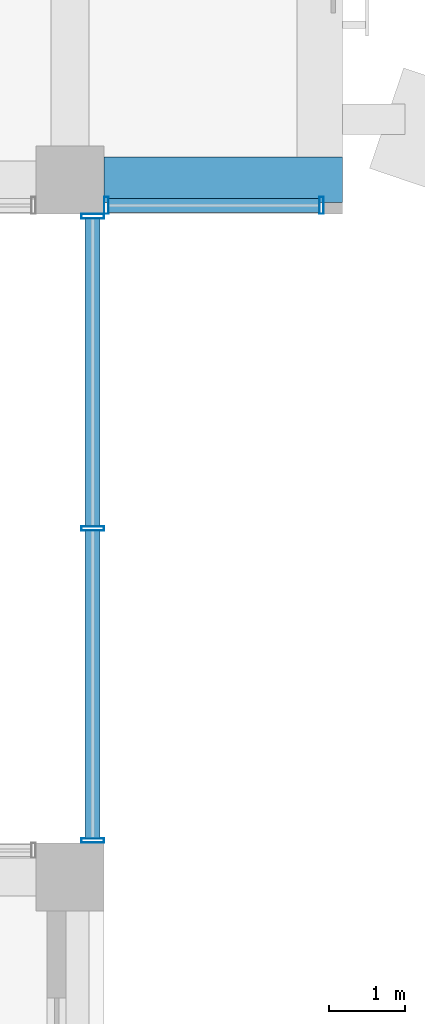
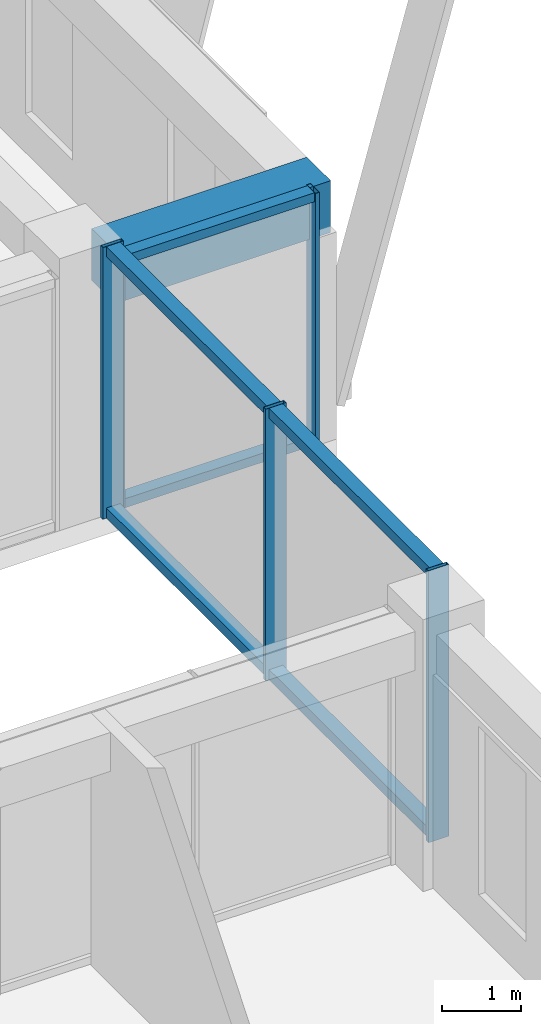
# One storey, part 19 of 38: 11 members, 1 beam, 2 elements without a shape of their own.
"""IFC4 building model written with IfcOpenShell, lengths in metres."""

from ifc_helpers import new_model, si_unit, direction, frame, origin, origin_2d, place, context, subcontext, project, spatial, rectangle, hollow_rectangle, extrude, material, layer, layer_set, material_profile, profile_set, type_object, element, aggregate, save


model = new_model("IFC4")

# Units and contexts
model_context = context("Model", 3, precision=1e-05, world=origin(), true_north=direction((0.0, 1.0)))
body_context = subcontext(model_context, "Body", "Model", "MODEL_VIEW")
ifc_project = project(units=[si_unit("LENGTHUNIT", "METRE"), si_unit("AREAUNIT", "SQUARE_METRE"), si_unit("VOLUMEUNIT", "CUBIC_METRE"), si_unit("PLANEANGLEUNIT", "RADIAN"), si_unit("MASSUNIT", "GRAM", prefix="KILO")], contexts=[model_context])

# Site, building, storey
site_placement = place(None, origin())
site = spatial("IfcSite", under=ifc_project, at=site_placement, CompositionType="ELEMENT")
building_placement = place(site_placement, origin())
building = spatial("IfcBuilding", under=site, at=building_placement, Name="Nzadi Deep Aquarium and Research Tower", CompositionType="ELEMENT")
storey_placement = place(building_placement, frame((0.0, 0.0, 52.89990234375)))
storey = spatial("IfcBuildingStorey", under=building, at=storey_placement, Name="L10", CompositionType="ELEMENT", Elevation=52.89990234375)

# Curtain wall, members
ifc_material_1 = material(Name="Aluminium unitised frame deep", Category="aluminium")
ifc_layer_1 = layer(ifc_material_1, 0.22509765625)
ifc_layer_set_1 = layer_set([ifc_layer_1], Name="Aluminium unitised frame deep")
curtain_wall_type_1 = type_object("IfcCurtainWallType", Name="Curtain wall Unitised Deep 225", PredefinedType="NOTDEFINED", material=ifc_layer_set_1)
curtain_wall_1_placement = place(storey_placement, origin())
curtain_wall_1 = element("IfcCurtainWall", 1, at=curtain_wall_1_placement, inside=storey, type_object=curtain_wall_type_1, Name="Unitised curtain wall blade B south L10", PredefinedType="NOTDEFINED")
ifc_material_2 = material(Name="Aluminium unitised frame deep", Category="aluminium")
ifc_material_profile_1 = material_profile(ifc_material_2, hollow_rectangle(XDim=0.22509765625, YDim=0.06005859375, WallThickness=0.0048828125, at=origin_2d()))
ifc_profile_set_1 = profile_set([ifc_material_profile_1], Name="Aluminium unitised frame deep")
member_type_1 = type_object("IfcMemberType", Name="Mullion 60x225 Unitised Deep", PredefinedType="MULLION", material=ifc_profile_set_1)
member_1_placement = place(storey_placement, frame((48.47998046875, 27.262451171875, 0.0), z_axis=(0.0, 0.0, 1.0), x_axis=(0.0, 1.0, 0.0)))
member_1 = element("IfcMember", 2, at=member_1_placement, type_object=member_type_1, Name="CW133 mullion 1", PredefinedType="MULLION", context=body_context, shape_type="SweptSolid", body=[
    extrude(hollow_rectangle(XDim=0.22509765625, YDim=0.06005859375, WallThickness=0.0048828125, at=origin_2d()), origin(), (0.0, 0.0, 1.0), 3.900146484375),
])
member_2_placement = place(storey_placement, frame((51.320068359375, 27.262451171875, 0.0), z_axis=(0.0, 0.0, 1.0), x_axis=(0.0, 1.0, 0.0)))
member_2 = element("IfcMember", 3, at=member_2_placement, type_object=member_type_1, Name="CW133 mullion 2", PredefinedType="MULLION", context=body_context, shape_type="SweptSolid", body=[
    extrude(hollow_rectangle(XDim=0.22509765625, YDim=0.06005859375, WallThickness=0.0048828125, at=origin_2d()), origin(), (0.0, 0.0, 1.0), 3.900146484375),
])

ifc_material_3 = material(Name="Aluminium unitised frame wind post", Category="aluminium")
ifc_layer_2 = layer(ifc_material_3, 0.300048828125)
ifc_layer_set_2 = layer_set([ifc_layer_2], Name="Aluminium unitised frame wind post")
curtain_wall_type_2 = type_object("IfcCurtainWallType", Name="Curtain wall Slot End 300", PredefinedType="NOTDEFINED", material=ifc_layer_set_2)
curtain_wall_2_placement = place(storey_placement, origin())
curtain_wall_2 = element("IfcCurtainWall", 4, at=curtain_wall_2_placement, inside=storey, type_object=curtain_wall_type_2, Name="Glazed slot end east L10", PredefinedType="NOTDEFINED")
ifc_material_4 = material(Name="Aluminium unitised frame wind post", Category="aluminium")
ifc_material_profile_2 = material_profile(ifc_material_4, hollow_rectangle(XDim=0.300048828125, YDim=0.06005859375, WallThickness=0.0048828125, at=origin_2d()))
ifc_profile_set_2 = profile_set([ifc_material_profile_2], Name="Aluminium unitised frame wind post")
member_type_2 = type_object("IfcMemberType", Name="Mullion 60x300 Slot End", PredefinedType="MULLION", material=ifc_profile_set_2)
member_3_placement = place(storey_placement, frame((48.300048828125, 18.8798828125, 0.0), z_axis=(0.0, 0.0, 1.0), x_axis=(-1.0, 0.0, 0.0)))
member_3 = element("IfcMember", 5, at=member_3_placement, type_object=member_type_2, Name="CW212 mullion 1", PredefinedType="MULLION", context=body_context, shape_type="SweptSolid", body=[
    extrude(hollow_rectangle(XDim=0.300048828125, YDim=0.06005859375, WallThickness=0.0048828125, at=origin_2d()), origin(), (0.0, 0.0, 1.0), 4.2001953125),
])
member_4_placement = place(storey_placement, frame((48.300048828125, 23.0, 0.0), z_axis=(0.0, 0.0, 1.0), x_axis=(-1.0, 0.0, 0.0)))
member_4 = element("IfcMember", 6, at=member_4_placement, type_object=member_type_2, Name="CW212 mullion 2", PredefinedType="MULLION", context=body_context, shape_type="SweptSolid", body=[
    extrude(hollow_rectangle(XDim=0.300048828125, YDim=0.06005859375, WallThickness=0.0048828125, at=origin_2d()), origin(), (0.0, 0.0, 1.0), 4.2001953125),
])
member_5_placement = place(storey_placement, frame((48.300048828125, 27.1201171875, 0.0), z_axis=(0.0, 0.0, 1.0), x_axis=(-1.0, 0.0, 0.0)))
member_5 = element("IfcMember", 7, at=member_5_placement, type_object=member_type_2, Name="CW212 mullion 3", PredefinedType="MULLION", context=body_context, shape_type="SweptSolid", body=[
    extrude(hollow_rectangle(XDim=0.300048828125, YDim=0.06005859375, WallThickness=0.0048828125, at=origin_2d()), origin(), (0.0, 0.0, 1.0), 4.2001953125),
])

# Beam
ifc_material_5 = material(Name="Concrete C35/45", Category="concrete")
ifc_material_profile_3 = material_profile(ifc_material_5, rectangle(XDim=0.60009765625, YDim=0.800048828125, at=origin_2d()))
ifc_profile_set_3 = profile_set([ifc_material_profile_3], Name="Concrete C35/45")
beam_type = type_object("IfcBeamType", Name="RC 600x800", PredefinedType="BEAM", material=ifc_profile_set_3)
beam_placement = place(storey_placement, frame((48.449951171875, 27.60009765625, 3.5), z_axis=(1.0, 0.0, 0.0), x_axis=(0.0, 1.0, 0.0)))
element("IfcBeam", 8, at=beam_placement, inside=storey, type_object=beam_type, Name="B-Z1-L10-CANT4", PredefinedType="BEAM", context=body_context, shape_type="SweptSolid", body=[
    extrude(rectangle(XDim=0.60009765625, YDim=0.800048828125, at=origin_2d()), origin(), (0.0, 0.0, 1.0), 3.150146484375),
])

# Member
ifc_material_6 = material(Name="Aluminium unitised frame deep", Category="aluminium")
ifc_material_profile_4 = material_profile(ifc_material_6, hollow_rectangle(XDim=0.179931640625, YDim=0.139892578125, WallThickness=0.0048828125, at=origin_2d()))
ifc_profile_set_4 = profile_set([ifc_material_profile_4], Name="Aluminium unitised frame deep")
member_type_3 = type_object("IfcMemberType", Name="Transom 140x180 Unitised Deep", PredefinedType="MULLION", material=ifc_profile_set_4)
member_6_placement = place(storey_placement, frame((48.510009765625, 27.262451171875, 0.070068359375), z_axis=(1.0, 0.0, 0.0), x_axis=(0.0, 1.0, 0.0)))
member_6 = element("IfcMember", 9, at=member_6_placement, type_object=member_type_3, Name="CW133 transom 1.1", PredefinedType="MULLION", context=body_context, shape_type="SweptSolid", body=[
    extrude(hollow_rectangle(XDim=0.179931640625, YDim=0.139892578125, WallThickness=0.0048828125, at=origin_2d()), origin(), (0.0, 0.0, 1.0), 2.780029296875),
])

member_7_placement = place(storey_placement, frame((48.510009765625, 27.262451171875, 3.830078125), z_axis=(1.0, 0.0, 0.0), x_axis=(0.0, 1.0, 0.0)))
member_7 = element("IfcMember", 10, at=member_7_placement, type_object=member_type_3, Name="CW133 transom 1.2", PredefinedType="MULLION", context=body_context, shape_type="SweptSolid", body=[
    extrude(hollow_rectangle(XDim=0.179931640625, YDim=0.139892578125, WallThickness=0.0048828125, at=origin_2d()), origin(), (0.0, 0.0, 1.0), 2.780029296875),
])

aggregate(curtain_wall_1, [member_1, member_2, member_6, member_7])

ifc_material_7 = material(Name="Aluminium unitised frame wind post", Category="aluminium")
ifc_material_profile_5 = material_profile(ifc_material_7, hollow_rectangle(XDim=0.199951171875, YDim=0.159912109375, WallThickness=0.0048828125, at=origin_2d()))
ifc_profile_set_5 = profile_set([ifc_material_profile_5], Name="Aluminium unitised frame wind post")
member_type_4 = type_object("IfcMemberType", Name="Transom 160x200 Slot End", PredefinedType="MULLION", material=ifc_profile_set_5)
member_8_placement = place(storey_placement, frame((48.300048828125, 18.909912109375, 0.080078125), z_axis=(0.0, 1.0, 0.0), x_axis=(-1.0, 0.0, 0.0)))
member_8 = element("IfcMember", 11, at=member_8_placement, type_object=member_type_4, Name="CW212 transom 1.1", PredefinedType="MULLION", context=body_context, shape_type="SweptSolid", body=[
    extrude(hollow_rectangle(XDim=0.199951171875, YDim=0.159912109375, WallThickness=0.0048828125, at=origin_2d()), origin(), (0.0, 0.0, 1.0), 4.06005859375),
])

member_9_placement = place(storey_placement, frame((48.300048828125, 18.909912109375, 4.1201171875), z_axis=(0.0, 1.0, 0.0), x_axis=(-1.0, 0.0, 0.0)))
member_9 = element("IfcMember", 12, at=member_9_placement, type_object=member_type_4, Name="CW212 transom 1.2", PredefinedType="MULLION", context=body_context, shape_type="SweptSolid", body=[
    extrude(hollow_rectangle(XDim=0.199951171875, YDim=0.159912109375, WallThickness=0.0048828125, at=origin_2d()), origin(), (0.0, 0.0, 1.0), 4.06005859375),
])

member_10_placement = place(storey_placement, frame((48.300048828125, 23.030029296875, 0.080078125), z_axis=(0.0, 1.0, 0.0), x_axis=(-1.0, 0.0, 0.0)))
member_10 = element("IfcMember", 13, at=member_10_placement, type_object=member_type_4, Name="CW212 transom 2.1", PredefinedType="MULLION", context=body_context, shape_type="SweptSolid", body=[
    extrude(hollow_rectangle(XDim=0.199951171875, YDim=0.159912109375, WallThickness=0.0048828125, at=origin_2d()), origin(), (0.0, 0.0, 1.0), 4.06005859375),
])

member_11_placement = place(storey_placement, frame((48.300048828125, 23.030029296875, 4.1201171875), z_axis=(0.0, 1.0, 0.0), x_axis=(-1.0, 0.0, 0.0)))
member_11 = element("IfcMember", 14, at=member_11_placement, type_object=member_type_4, Name="CW212 transom 2.2", PredefinedType="MULLION", context=body_context, shape_type="SweptSolid", body=[
    extrude(hollow_rectangle(XDim=0.199951171875, YDim=0.159912109375, WallThickness=0.0048828125, at=origin_2d()), origin(), (0.0, 0.0, 1.0), 4.06005859375),
])

aggregate(curtain_wall_2, [member_3, member_4, member_5, member_8, member_9, member_10, member_11])

save(model, "model.ifc")
